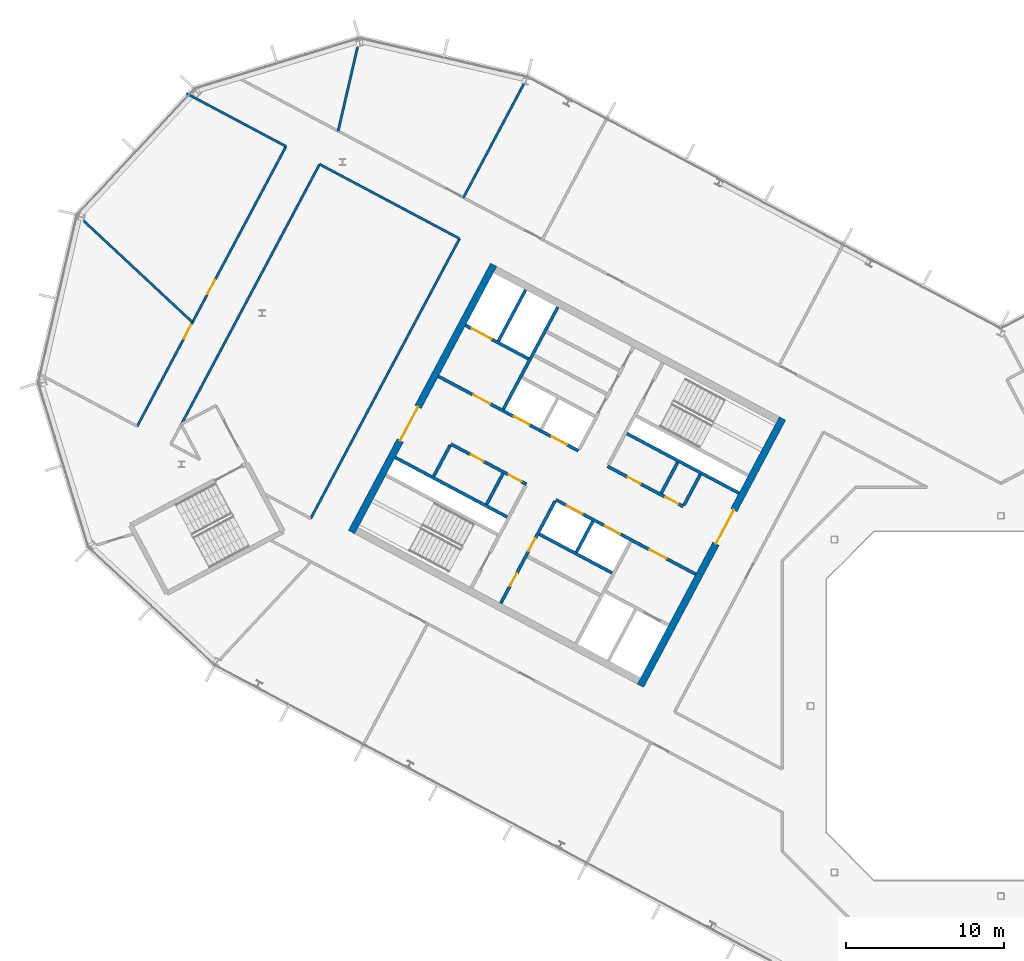
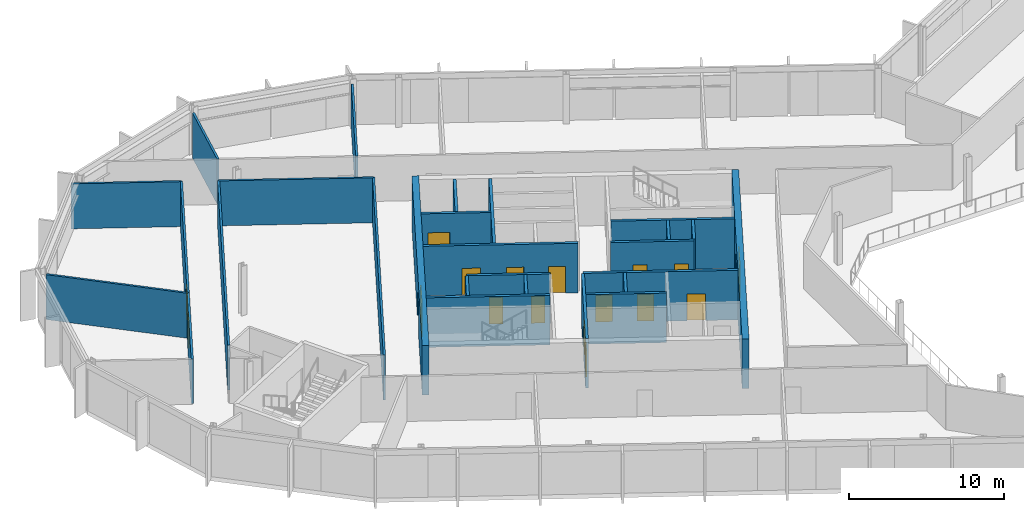
# One storey, part 13 of 25: 26 walls, 17 doors, 17 openings.
"""IFC4 building model written with IfcOpenShell, lengths in metres."""

from ifc_helpers import new_model, si_unit, direction, frame, frame_2d, origin, place, context, subcontext, project, spatial, rectangle, extrude, material, layer, layer_set, type_object, element, fill, save


model = new_model("IFC4")

# Units and contexts
model_context = context("Model", 3, precision=1e-05, world=origin(), true_north=direction((0.0, 1.0)))
body_context = subcontext(model_context, "Body", "Model", "MODEL_VIEW")
ifc_project = project(units=[si_unit("LENGTHUNIT", "METRE"), si_unit("AREAUNIT", "SQUARE_METRE"), si_unit("VOLUMEUNIT", "CUBIC_METRE"), si_unit("PLANEANGLEUNIT", "RADIAN"), si_unit("MASSUNIT", "GRAM", prefix="KILO")], contexts=[model_context])

# Site, building, storey
site_placement = place(None, origin())
site = spatial("IfcSite", under=ifc_project, at=site_placement, CompositionType="ELEMENT")
building_placement = place(site_placement, origin())
building = spatial("IfcBuilding", under=site, at=building_placement, Name="Cormorant Relay Tower", CompositionType="ELEMENT")
storey_placement = place(building_placement, frame((0.0, 0.0, 297.0)))
storey = spatial("IfcBuildingStorey", under=building, at=storey_placement, Name="L67", CompositionType="ELEMENT", Elevation=297.0)

# Walls
ifc_material_1 = material(Name="Concrete 40 MPa", Category="concrete")
ifc_layer_1 = layer(ifc_material_1, 0.199951171875)
ifc_layer_set_1 = layer_set([ifc_layer_1], Name="Core internal wall 200")
wall_type_1 = type_object("IfcWallType", Name="Core internal wall 200", PredefinedType="SOLIDWALL", material=ifc_layer_set_1)
wall_1_placement = place(storey_placement, frame((-20.39013671875, 15.371826171875, 0.0), z_axis=(0.0, 0.0, 1.0), x_axis=(-0.4694473164, -0.882960484464, 0.0)))
element("IfcWall", 1, at=wall_1_placement, inside=storey, type_object=wall_type_1, Name="L67 core A shaft and room wall", PredefinedType="SOLIDWALL", context=body_context, shape_type="SweptSolid", body=[
    extrude(rectangle(XDim=2.199951171875, YDim=0.199951171875, at=frame_2d((1.10009765625, 0.0))), origin(), (0.0, 0.0, 1.0), 3.89990234375),
])
wall_2_placement = place(storey_placement, frame((-25.744140625, 11.64990234375, 0.0), z_axis=(0.0, 0.0, 1.0), x_axis=(-0.469487830541, -0.882938942948, 0.0)))
element("IfcWall", 2, at=wall_2_placement, inside=storey, type_object=wall_type_1, Name="L67 core A shaft and room wall", PredefinedType="SOLIDWALL", context=body_context, shape_type="SweptSolid", body=[
    extrude(rectangle(XDim=2.2001953125, YDim=0.199951171875, at=frame_2d((1.10009765625, 0.0))), origin(), (0.0, 0.0, 1.0), 3.89990234375),
])
wall_3_placement = place(storey_placement, frame((-31.41259765625, 14.663818359375, 0.0), z_axis=(0.0, 0.0, 1.0), x_axis=(-0.469533832133, -0.882914480843, 0.0)))
element("IfcWall", 3, at=wall_3_placement, inside=storey, type_object=wall_type_1, Name="L67 core A shaft and room wall", PredefinedType="SOLIDWALL", context=body_context, shape_type="SweptSolid", body=[
    extrude(rectangle(XDim=2.199951171875, YDim=0.199951171875, at=frame_2d((1.10009765625, 0.0))), origin(), (0.0, 0.0, 1.0), 3.89990234375),
])
ifc_material_2 = material(Name="Concrete 50 MPa", Category="concrete")
ifc_layer_2 = layer(ifc_material_2, 0.199951171875)
ifc_layer_set_2 = layer_set([ifc_layer_2], Name="Core shaft wall 200")
wall_type_2 = type_object("IfcWallType", Name="Core shaft wall 200", PredefinedType="SHEAR", material=ifc_layer_set_2)
wall_4_placement = place(storey_placement, frame((-18.959716796875, 14.611328125, 0.0), z_axis=(0.0, 0.0, 1.0), x_axis=(-0.4694473164, -0.882960484464, 0.0)))
element("IfcWall", 4, at=wall_4_placement, inside=storey, type_object=wall_type_2, Name="L67 core A shaft wall", PredefinedType="SHEAR", context=body_context, shape_type="SweptSolid", body=[
    extrude(rectangle(XDim=2.199951171875, YDim=0.199951171875, at=frame_2d((1.10009765625, 0.0))), origin(), (0.0, 0.0, 1.0), 3.89990234375),
])

# Wall, openings, doors
wall_5_placement = place(storey_placement, frame((-28.128173828125, 12.91748046875, 0.0), z_axis=(0.0, 0.0, 1.0), x_axis=(-0.469454336211, -0.882956752176, 0.0)))
wall_5 = element("IfcWall", 5, at=wall_5_placement, inside=storey, type_object=wall_type_2, Name="L67 core A shaft wall", PredefinedType="SHEAR", context=body_context, shape_type="SweptSolid", body=[
    extrude(rectangle(XDim=7.300048828125, YDim=0.199951171875, at=frame_2d((3.64990234375, 0.0))), origin(), (0.0, 0.0, 1.0), 3.89990234375),
])
opening_1_placement = place(wall_5_placement, frame((2.64990234375, 0.0, 0.0)))
opening_1 = element("IfcOpeningElement", 6, at=opening_1_placement, cuts=wall_5, Name="Opening CDD-268", PredefinedType="OPENING", context=body_context, shape_type="SweptSolid", body=[
    extrude(rectangle(XDim=0.89990234375, YDim=2.10009765625, at=frame_2d((0.449951171875, 1.050048828125))), frame((0.0, 0.10986328125, 0.0), z_axis=(0.0, -1.0, 0.0), x_axis=(1.0, 0.0, 0.0)), (0.0, 0.0, 1.0), 0.219970703125),
])
opening_2_placement = place(wall_5_placement, frame((5.14990234375, 0.0, 0.0)))
opening_2 = element("IfcOpeningElement", 7, at=opening_2_placement, cuts=wall_5, Name="Opening CDD-339", PredefinedType="OPENING", context=body_context, shape_type="SweptSolid", body=[
    extrude(rectangle(XDim=0.89990234375, YDim=2.10009765625, at=frame_2d((0.449951171875, 1.050048828125))), frame((0.0, 0.10986328125, 0.0), z_axis=(0.0, -1.0, 0.0), x_axis=(1.0, 0.0, 0.0)), (0.0, 0.0, 1.0), 0.219970703125),
])
ifc_material_3 = material(Name="Steel fire door", Category="steel")
door_type_1 = type_object("IfcDoorType", Name="Core room door 900x2100", OperationType="SINGLE_SWING_LEFT", PredefinedType="DOOR", material=ifc_material_3)
door_1_placement = place(opening_1_placement, origin())
door_1 = element("IfcDoor", 8, at=door_1_placement, inside=storey, type_object=door_type_1, Name="Core room door 900x2100", OperationType="SINGLE_SWING_LEFT", OverallHeight=2.10009765625, OverallWidth=0.89990234375, PredefinedType="DOOR", context=body_context, shape_type="SweptSolid", body=[
    extrude(rectangle(XDim=0.89990234375, YDim=2.10009765625, at=frame_2d((0.449951171875, 1.050048828125))), frame((0.0, 0.02490234375, 0.0), z_axis=(0.0, -1.0, 0.0), x_axis=(1.0, 0.0, 0.0)), (0.0, 0.0, 1.0), 0.050048828125),
])
fill(opening_1, door_1)
door_2_placement = place(opening_2_placement, origin())
door_2 = element("IfcDoor", 9, at=door_2_placement, inside=storey, type_object=door_type_1, Name="Core room door 900x2100", OperationType="SINGLE_SWING_LEFT", OverallHeight=2.10009765625, OverallWidth=0.89990234375, PredefinedType="DOOR", context=body_context, shape_type="SweptSolid", body=[
    extrude(rectangle(XDim=0.89990234375, YDim=2.10009765625, at=frame_2d((0.449951171875, 1.050048828125))), frame((0.0, 0.02490234375, 0.0), z_axis=(0.0, -1.0, 0.0), x_axis=(1.0, 0.0, 0.0)), (0.0, 0.0, 1.0), 0.050048828125),
])
fill(opening_2, door_2)

# Walls
wall_6_placement = place(storey_placement, frame((-27.955322265625, 25.170654296875, 0.0), z_axis=(0.0, 0.0, 1.0), x_axis=(-0.469480409012, -0.88294288918, 0.0)))
element("IfcWall", 10, at=wall_6_placement, inside=storey, type_object=wall_type_2, Name="L67 core A shaft wall", PredefinedType="SHEAR", context=body_context, shape_type="SweptSolid", body=[
    extrude(rectangle(XDim=7.300048828125, YDim=0.199951171875, at=frame_2d((3.64990234375, 0.0))), origin(), (0.0, 0.0, 1.0), 3.89990234375),
])
wall_7_placement = place(storey_placement, frame((-34.750244140625, 16.4384765625, 0.0), z_axis=(0.0, 0.0, 1.0), x_axis=(-0.469401318492, -0.882984938828, 0.0)))
element("IfcWall", 11, at=wall_7_placement, inside=storey, type_object=wall_type_2, Name="L67 core A shaft wall", PredefinedType="SHEAR", context=body_context, shape_type="SweptSolid", body=[
    extrude(rectangle(XDim=2.199951171875, YDim=0.199951171875, at=frame_2d((1.10009765625, 0.0))), origin(), (0.0, 0.0, 1.0), 3.89990234375),
])
wall_8_placement = place(storey_placement, frame((-29.986083984375, 26.250244140625, 0.0), z_axis=(0.0, 0.0, 1.0), x_axis=(-0.469494272526, -0.882935517501, 0.0)))
element("IfcWall", 12, at=wall_8_placement, inside=storey, type_object=wall_type_2, Name="L67 core A shaft wall", PredefinedType="SHEAR", context=body_context, shape_type="SweptSolid", body=[
    extrude(rectangle(XDim=3.64990234375, YDim=0.199951171875, at=frame_2d((1.824951171875, 0.0))), origin(), (0.0, 0.0, 1.0), 3.89990234375),
])

# Wall, opening, door
wall_9_placement = place(storey_placement, frame((-29.80419921875, 21.906494140625, 0.0), z_axis=(0.0, 0.0, 1.0), x_axis=(-0.882960433586, 0.469447412093, 0.0)))
wall_9 = element("IfcWall", 13, at=wall_9_placement, inside=storey, type_object=wall_type_2, Name="L67 core A shaft wall", PredefinedType="SHEAR", context=body_context, shape_type="SweptSolid", body=[
    extrude(rectangle(XDim=4.5, YDim=0.199951171875, at=frame_2d((2.25, 0.0))), origin(), (0.0, 0.0, 1.0), 3.89990234375),
])
opening_3_placement = place(wall_9_placement, frame((2.64990234375, 0.0, 0.0)))
opening_3 = element("IfcOpeningElement", 14, at=opening_3_placement, cuts=wall_9, Name="Opening LD3-015", PredefinedType="OPENING", context=body_context, shape_type="SweptSolid", body=[
    extrude(rectangle(XDim=1.39990234375, YDim=2.39990234375, at=frame_2d((0.699951171875, 1.199951171875))), frame((0.0, 0.10986328125, 0.0), z_axis=(0.0, -1.0, 0.0), x_axis=(1.0, 0.0, 0.0)), (0.0, 0.0, 1.0), 0.219970703125),
])
ifc_material_4 = material(Name="Stainless steel 316", Category="steel")
door_type_2 = type_object("IfcDoorType", Name="Lift landing door 1400x2400", OperationType="DOUBLE_DOOR_SLIDING", PredefinedType="DOOR", material=ifc_material_4)
door_3_placement = place(opening_3_placement, origin())
door_3 = element("IfcDoor", 15, at=door_3_placement, inside=storey, type_object=door_type_2, Name="SV1 landing door", OperationType="DOUBLE_DOOR_SLIDING", OverallHeight=2.39990234375, OverallWidth=1.39990234375, PredefinedType="DOOR", context=body_context, shape_type="SweptSolid", body=[
    extrude(rectangle(XDim=1.39990234375, YDim=2.39990234375, at=frame_2d((0.699951171875, 1.199951171875))), frame((0.0, 0.02490234375, 0.0), z_axis=(0.0, -1.0, 0.0), x_axis=(1.0, 0.0, 0.0)), (0.0, 0.0, 1.0), 0.050048828125),
])
fill(opening_3, door_3)

# Wall
wall_10_placement = place(storey_placement, frame((-16.52880859375, 13.43212890625, 0.0), z_axis=(0.0, 0.0, 1.0), x_axis=(-0.88295287151, 0.469461634952, 0.0)))
element("IfcWall", 16, at=wall_10_placement, inside=storey, type_object=wall_type_2, Name="L67 core A shaft wall", PredefinedType="SHEAR", context=body_context, shape_type="SweptSolid", body=[
    extrude(rectangle(XDim=7.999755859375, YDim=0.199951171875, at=frame_2d((4.0, 0.0))), origin(), (0.0, 0.0, 1.0), 3.89990234375),
])

# Wall, openings, doors
wall_11_placement = place(storey_placement, frame((-20.03955078125, 12.58056640625, 0.0), z_axis=(0.0, 0.0, 1.0), x_axis=(-0.882942972946, 0.469480251476, 0.0)))
wall_11 = element("IfcWall", 17, at=wall_11_placement, inside=storey, type_object=wall_type_2, Name="L67 core A shaft wall", PredefinedType="SHEAR", context=body_context, shape_type="SweptSolid", body=[
    extrude(rectangle(XDim=5.39990234375, YDim=0.199951171875, at=frame_2d((2.699951171875, 0.0))), origin(), (0.0, 0.0, 1.0), 3.89990234375),
])
opening_4_placement = place(wall_11_placement, frame((0.360107421875, 0.0, 0.0)))
opening_4 = element("IfcOpeningElement", 18, at=opening_4_placement, cuts=wall_11, Name="Opening CDD-337", PredefinedType="OPENING", context=body_context, shape_type="SweptSolid", body=[
    extrude(rectangle(XDim=0.89990234375, YDim=2.10009765625, at=frame_2d((0.449951171875, 1.050048828125))), frame((0.0, 0.10986328125, 0.0), z_axis=(0.0, -1.0, 0.0), x_axis=(1.0, 0.0, 0.0)), (0.0, 0.0, 1.0), 0.219970703125),
])
opening_5_placement = place(wall_11_placement, frame((3.06005859375, 0.0, 0.0)))
opening_5 = element("IfcOpeningElement", 19, at=opening_5_placement, cuts=wall_11, Name="Opening CDD-338", PredefinedType="OPENING", context=body_context, shape_type="SweptSolid", body=[
    extrude(rectangle(XDim=0.89990234375, YDim=2.10009765625, at=frame_2d((0.449951171875, 1.050048828125))), frame((0.0, 0.10986328125, 0.0), z_axis=(0.0, -1.0, 0.0), x_axis=(1.0, 0.0, 0.0)), (0.0, 0.0, 1.0), 0.219970703125),
])
door_4_placement = place(opening_4_placement, frame((0.89990234375, 0.0, 0.0), z_axis=(0.0, 0.0, 1.0), x_axis=(-1.0, 0.0, 0.0)))
door_4 = element("IfcDoor", 20, at=door_4_placement, inside=storey, type_object=door_type_1, Name="Core room door 900x2100", OperationType="SINGLE_SWING_RIGHT", OverallHeight=2.10009765625, OverallWidth=0.89990234375, PredefinedType="DOOR", context=body_context, shape_type="SweptSolid", body=[
    extrude(rectangle(XDim=0.89990234375, YDim=2.10009765625, at=frame_2d((0.449951171875, 1.050048828125))), frame((0.0, 0.02490234375, 0.0), z_axis=(0.0, -1.0, 0.0), x_axis=(1.0, 0.0, 0.0)), (0.0, 0.0, 1.0), 0.050048828125),
])
fill(opening_4, door_4)
door_5_placement = place(opening_5_placement, frame((0.89990234375, 0.0, 0.0), z_axis=(0.0, 0.0, 1.0), x_axis=(-1.0, 0.0, 0.0)))
door_5 = element("IfcDoor", 21, at=door_5_placement, inside=storey, type_object=door_type_1, Name="Core room door 900x2100", OperationType="SINGLE_SWING_RIGHT", OverallHeight=2.10009765625, OverallWidth=0.89990234375, PredefinedType="DOOR", context=body_context, shape_type="SweptSolid", body=[
    extrude(rectangle(XDim=0.89990234375, YDim=2.10009765625, at=frame_2d((0.449951171875, 1.050048828125))), frame((0.0, 0.02490234375, 0.0), z_axis=(0.0, -1.0, 0.0), x_axis=(1.0, 0.0, 0.0)), (0.0, 0.0, 1.0), 0.050048828125),
])
fill(opening_5, door_5)

wall_12_placement = place(storey_placement, frame((-26.66162109375, 16.1015625, 0.0), z_axis=(0.0, 0.0, 1.0), x_axis=(-0.882940221191, 0.469485426614, 0.0)))
wall_12 = element("IfcWall", 22, at=wall_12_placement, inside=storey, type_object=wall_type_2, Name="L67 core A shaft wall", PredefinedType="SHEAR", context=body_context, shape_type="SweptSolid", body=[
    extrude(rectangle(XDim=10.0, YDim=0.199951171875, at=frame_2d((5.0, 0.0))), origin(), (0.0, 0.0, 1.0), 3.89990234375),
])
opening_6_placement = place(wall_12_placement, frame((6.300048828125, 0.0, 0.0)))
opening_6 = element("IfcOpeningElement", 23, at=opening_6_placement, cuts=wall_12, Name="Opening CDC-039", PredefinedType="OPENING", context=body_context, shape_type="SweptSolid", body=[
    extrude(rectangle(XDim=1.199951171875, YDim=2.10009765625, at=frame_2d((0.60009765625, 1.050048828125))), frame((0.0, 0.10986328125, 0.0), z_axis=(0.0, -1.0, 0.0), x_axis=(1.0, 0.0, 0.0)), (0.0, 0.0, 1.0), 0.219970703125),
])
opening_7_placement = place(wall_12_placement, frame((0.800048828125, 0.0, 0.0)))
opening_7 = element("IfcOpeningElement", 24, at=opening_7_placement, cuts=wall_12, Name="Opening LD1-067", PredefinedType="OPENING", context=body_context, shape_type="SweptSolid", body=[
    extrude(rectangle(XDim=1.10009765625, YDim=2.10009765625, at=frame_2d((0.550048828125, 1.050048828125))), frame((0.0, 0.10986328125, 0.0), z_axis=(0.0, -1.0, 0.0), x_axis=(1.0, 0.0, 0.0)), (0.0, 0.0, 1.0), 0.219970703125),
])
opening_8_placement = place(wall_12_placement, frame((3.5, 0.0, 0.0)))
opening_8 = element("IfcOpeningElement", 25, at=opening_8_placement, cuts=wall_12, Name="Opening LD1-068", PredefinedType="OPENING", context=body_context, shape_type="SweptSolid", body=[
    extrude(rectangle(XDim=1.10009765625, YDim=2.10009765625, at=frame_2d((0.550048828125, 1.050048828125))), frame((0.0, 0.10986328125, 0.0), z_axis=(0.0, -1.0, 0.0), x_axis=(1.0, 0.0, 0.0)), (0.0, 0.0, 1.0), 0.219970703125),
])
ifc_material_5 = material(Name="Steel fire door", Category="steel")
door_type_3 = type_object("IfcDoorType", Name="Core lobby door 1200x2100", OperationType="SINGLE_SWING_LEFT", PredefinedType="DOOR", material=ifc_material_5)
door_6_placement = place(opening_6_placement, frame((1.199951171875, 0.0, 0.0), z_axis=(0.0, 0.0, 1.0), x_axis=(-1.0, 0.0, 0.0)))
door_6 = element("IfcDoor", 26, at=door_6_placement, inside=storey, type_object=door_type_3, Name="Core lobby door 1200x2100", OperationType="SINGLE_SWING_RIGHT", OverallHeight=2.10009765625, OverallWidth=1.199951171875, PredefinedType="DOOR", context=body_context, shape_type="SweptSolid", body=[
    extrude(rectangle(XDim=1.199951171875, YDim=2.10009765625, at=frame_2d((0.60009765625, 1.050048828125))), frame((0.0, 0.02490234375, 0.0), z_axis=(0.0, -1.0, 0.0), x_axis=(1.0, 0.0, 0.0)), (0.0, 0.0, 1.0), 0.050048828125),
])
fill(opening_6, door_6)
ifc_material_6 = material(Name="Stainless steel 316", Category="steel")
door_type_4 = type_object("IfcDoorType", Name="Lift landing door 1100x2100", OperationType="DOUBLE_DOOR_SLIDING", PredefinedType="DOOR", material=ifc_material_6)
door_7_placement = place(opening_7_placement, origin())
door_7 = element("IfcDoor", 27, at=door_7_placement, inside=storey, type_object=door_type_4, Name="HR3 landing door", OperationType="DOUBLE_DOOR_SLIDING", OverallHeight=2.10009765625, OverallWidth=1.10009765625, PredefinedType="DOOR", context=body_context, shape_type="SweptSolid", body=[
    extrude(rectangle(XDim=1.10009765625, YDim=2.10009765625, at=frame_2d((0.550048828125, 1.050048828125))), frame((0.0, 0.02490234375, 0.0), z_axis=(0.0, -1.0, 0.0), x_axis=(1.0, 0.0, 0.0)), (0.0, 0.0, 1.0), 0.050048828125),
])
fill(opening_7, door_7)
door_8_placement = place(opening_8_placement, origin())
door_8 = element("IfcDoor", 28, at=door_8_placement, inside=storey, type_object=door_type_4, Name="HR4 landing door", OperationType="DOUBLE_DOOR_SLIDING", OverallHeight=2.10009765625, OverallWidth=1.10009765625, PredefinedType="DOOR", context=body_context, shape_type="SweptSolid", body=[
    extrude(rectangle(XDim=1.10009765625, YDim=2.10009765625, at=frame_2d((0.550048828125, 1.050048828125))), frame((0.0, 0.02490234375, 0.0), z_axis=(0.0, -1.0, 0.0), x_axis=(1.0, 0.0, 0.0)), (0.0, 0.0, 1.0), 0.050048828125),
])
fill(opening_8, door_8)

wall_13_placement = place(storey_placement, frame((-19.251708984375, 8.31103515625, 0.0), z_axis=(0.0, 0.0, 1.0), x_axis=(-0.882955722218, 0.469456273365, 0.0)))
wall_13 = element("IfcWall", 29, at=wall_13_placement, inside=storey, type_object=wall_type_2, Name="L67 core A shaft wall", PredefinedType="SHEAR", context=body_context, shape_type="SweptSolid", body=[
    extrude(rectangle(XDim=10.0, YDim=0.199951171875, at=frame_2d((5.0, 0.0))), origin(), (0.0, 0.0, 1.0), 3.89990234375),
])
opening_9_placement = place(wall_13_placement, frame((2.10009765625, 0.0, 0.0)))
opening_9 = element("IfcOpeningElement", 30, at=opening_9_placement, cuts=wall_13, Name="Opening CDC-033", PredefinedType="OPENING", context=body_context, shape_type="SweptSolid", body=[
    extrude(rectangle(XDim=1.199951171875, YDim=2.10009765625, at=frame_2d((0.60009765625, 1.050048828125))), frame((0.0, 0.10986328125, 0.0), z_axis=(0.0, -1.0, 0.0), x_axis=(1.0, 0.0, 0.0)), (0.0, 0.0, 1.0), 0.219970703125),
])
opening_10_placement = place(wall_13_placement, frame((5.39990234375, 0.0, 0.0)))
opening_10 = element("IfcOpeningElement", 31, at=opening_10_placement, cuts=wall_13, Name="Opening LD1-065", PredefinedType="OPENING", context=body_context, shape_type="SweptSolid", body=[
    extrude(rectangle(XDim=1.10009765625, YDim=2.10009765625, at=frame_2d((0.550048828125, 1.050048828125))), frame((0.0, 0.10986328125, 0.0), z_axis=(0.0, -1.0, 0.0), x_axis=(1.0, 0.0, 0.0)), (0.0, 0.0, 1.0), 0.219970703125),
])
opening_11_placement = place(wall_13_placement, frame((8.10009765625, 0.0, 0.0)))
opening_11 = element("IfcOpeningElement", 32, at=opening_11_placement, cuts=wall_13, Name="Opening LD1-066", PredefinedType="OPENING", context=body_context, shape_type="SweptSolid", body=[
    extrude(rectangle(XDim=1.10009765625, YDim=2.10009765625, at=frame_2d((0.550048828125, 1.050048828125))), frame((0.0, 0.10986328125, 0.0), z_axis=(0.0, -1.0, 0.0), x_axis=(1.0, 0.0, 0.0)), (0.0, 0.0, 1.0), 0.219970703125),
])
door_9_placement = place(opening_9_placement, origin())
door_9 = element("IfcDoor", 33, at=door_9_placement, inside=storey, type_object=door_type_3, Name="Core lobby door 1200x2100", OperationType="SINGLE_SWING_RIGHT", OverallHeight=2.10009765625, OverallWidth=1.199951171875, PredefinedType="DOOR", context=body_context, shape_type="SweptSolid", body=[
    extrude(rectangle(XDim=1.199951171875, YDim=2.10009765625, at=frame_2d((0.60009765625, 1.050048828125))), frame((0.0, 0.02490234375, 0.0), z_axis=(0.0, -1.0, 0.0), x_axis=(1.0, 0.0, 0.0)), (0.0, 0.0, 1.0), 0.050048828125),
])
fill(opening_9, door_9)
door_10_placement = place(opening_10_placement, origin())
door_10 = element("IfcDoor", 34, at=door_10_placement, inside=storey, type_object=door_type_4, Name="HR1 landing door", OperationType="DOUBLE_DOOR_SLIDING", OverallHeight=2.10009765625, OverallWidth=1.10009765625, PredefinedType="DOOR", context=body_context, shape_type="SweptSolid", body=[
    extrude(rectangle(XDim=1.10009765625, YDim=2.10009765625, at=frame_2d((0.550048828125, 1.050048828125))), frame((0.0, 0.02490234375, 0.0), z_axis=(0.0, -1.0, 0.0), x_axis=(1.0, 0.0, 0.0)), (0.0, 0.0, 1.0), 0.050048828125),
])
fill(opening_10, door_10)
door_11_placement = place(opening_11_placement, origin())
door_11 = element("IfcDoor", 35, at=door_11_placement, inside=storey, type_object=door_type_4, Name="HR2 landing door", OperationType="DOUBLE_DOOR_SLIDING", OverallHeight=2.10009765625, OverallWidth=1.10009765625, PredefinedType="DOOR", context=body_context, shape_type="SweptSolid", body=[
    extrude(rectangle(XDim=1.10009765625, YDim=2.10009765625, at=frame_2d((0.550048828125, 1.050048828125))), frame((0.0, 0.02490234375, 0.0), z_axis=(0.0, -1.0, 0.0), x_axis=(1.0, 0.0, 0.0)), (0.0, 0.0, 1.0), 0.050048828125),
])
fill(opening_11, door_11)

wall_14_placement = place(storey_placement, frame((-29.935302734375, 13.991455078125, 0.0), z_axis=(0.0, 0.0, 1.0), x_axis=(-0.882952937579, 0.469461510692, 0.0)))
wall_14 = element("IfcWall", 36, at=wall_14_placement, inside=storey, type_object=wall_type_2, Name="L67 core A shaft wall", PredefinedType="SHEAR", context=body_context, shape_type="SweptSolid", body=[
    extrude(rectangle(XDim=5.400146484375, YDim=0.199951171875, at=frame_2d((2.7001953125, 0.0))), origin(), (0.0, 0.0, 1.0), 3.89990234375),
])
opening_12_placement = place(wall_14_placement, frame((0.360107421875, 0.0, 0.0)))
opening_12 = element("IfcOpeningElement", 37, at=opening_12_placement, cuts=wall_14, Name="Opening CDD-320", PredefinedType="OPENING", context=body_context, shape_type="SweptSolid", body=[
    extrude(rectangle(XDim=0.89990234375, YDim=2.10009765625, at=frame_2d((0.449951171875, 1.050048828125))), frame((0.0, 0.10986328125, 0.0), z_axis=(0.0, -1.0, 0.0), x_axis=(1.0, 0.0, 0.0)), (0.0, 0.0, 1.0), 0.219970703125),
])
opening_13_placement = place(wall_14_placement, frame((3.06005859375, 0.0, 0.0)))
opening_13 = element("IfcOpeningElement", 38, at=opening_13_placement, cuts=wall_14, Name="Opening CDD-321", PredefinedType="OPENING", context=body_context, shape_type="SweptSolid", body=[
    extrude(rectangle(XDim=0.89990234375, YDim=2.10009765625, at=frame_2d((0.449951171875, 1.050048828125))), frame((0.0, 0.10986328125, 0.0), z_axis=(0.0, -1.0, 0.0), x_axis=(1.0, 0.0, 0.0)), (0.0, 0.0, 1.0), 0.219970703125),
])
door_12_placement = place(opening_12_placement, origin())
door_12 = element("IfcDoor", 39, at=door_12_placement, inside=storey, type_object=door_type_1, Name="Core room door 900x2100", OperationType="SINGLE_SWING_LEFT", OverallHeight=2.10009765625, OverallWidth=0.89990234375, PredefinedType="DOOR", context=body_context, shape_type="SweptSolid", body=[
    extrude(rectangle(XDim=0.89990234375, YDim=2.10009765625, at=frame_2d((0.449951171875, 1.050048828125))), frame((0.0, 0.02490234375, 0.0), z_axis=(0.0, -1.0, 0.0), x_axis=(1.0, 0.0, 0.0)), (0.0, 0.0, 1.0), 0.050048828125),
])
fill(opening_12, door_12)
door_13_placement = place(opening_13_placement, origin())
door_13 = element("IfcDoor", 40, at=door_13_placement, inside=storey, type_object=door_type_1, Name="Core room door 900x2100", OperationType="SINGLE_SWING_LEFT", OverallHeight=2.10009765625, OverallWidth=0.89990234375, PredefinedType="DOOR", context=body_context, shape_type="SweptSolid", body=[
    extrude(rectangle(XDim=0.89990234375, YDim=2.10009765625, at=frame_2d((0.449951171875, 1.050048828125))), frame((0.0, 0.02490234375, 0.0), z_axis=(0.0, -1.0, 0.0), x_axis=(1.0, 0.0, 0.0)), (0.0, 0.0, 1.0), 0.050048828125),
])
fill(opening_13, door_13)

# Walls
wall_15_placement = place(storey_placement, frame((-24.5283203125, 8.3984375, 0.0), z_axis=(0.0, 0.0, 1.0), x_axis=(-0.882953967957, 0.469459572775, 0.0)))
element("IfcWall", 41, at=wall_15_placement, inside=storey, type_object=wall_type_2, Name="L67 core A shaft wall", PredefinedType="SHEAR", context=body_context, shape_type="SweptSolid", body=[
    extrude(rectangle(XDim=5.199951171875, YDim=0.199951171875, at=frame_2d((2.60009765625, 0.0))), origin(), (0.0, 0.0, 1.0), 3.89990234375),
])
wall_16_placement = place(storey_placement, frame((-31.150390625, 11.91943359375, 0.0), z_axis=(0.0, 0.0, 1.0), x_axis=(-0.882940221191, 0.469485426614, 0.0)))
element("IfcWall", 42, at=wall_16_placement, inside=storey, type_object=wall_type_2, Name="L67 core A shaft wall", PredefinedType="SHEAR", context=body_context, shape_type="SweptSolid", body=[
    extrude(rectangle(XDim=8.0, YDim=0.199951171875, at=frame_2d((4.0, 0.0))), origin(), (0.0, 0.0, 1.0), 3.89990234375),
])

# Wall, opening, door
ifc_material_7 = material(Name="Concrete 50 MPa", Category="concrete")
ifc_layer_3 = layer(ifc_material_7, 0.449951171875)
ifc_layer_set_3 = layer_set([ifc_layer_3], Name="Core wall 450")
wall_type_3 = type_object("IfcWallType", Name="Core wall 450", PredefinedType="SHEAR", material=ifc_layer_set_3)
wall_17_placement = place(storey_placement, frame((-13.771484375, 18.138427734375, 0.0), z_axis=(0.0, 0.0, 1.0), x_axis=(-0.469467968382, -0.882949504028, 0.0)))
wall_17 = element("IfcWall", 43, at=wall_17_placement, inside=storey, type_object=wall_type_3, Name="L67 core A wall", PredefinedType="SHEAR", context=body_context, shape_type="SweptSolid", body=[
    extrude(rectangle(XDim=19.099853515625, YDim=0.449951171875, at=frame_2d((9.5498046875, 0.0))), origin(), (0.0, 0.0, 1.0), 3.89990234375),
])
opening_14_placement = place(wall_17_placement, frame((6.550048828125, 0.0, 0.0)))
opening_14 = element("IfcOpeningElement", 44, at=opening_14_placement, cuts=wall_17, Name="Opening CDA-050", PredefinedType="OPENING", context=body_context, shape_type="SweptSolid", body=[
    extrude(rectangle(XDim=2.39990234375, YDim=2.39990234375, at=frame_2d((1.199951171875, 1.199951171875))), frame((0.0, 0.23486328125, 0.0), z_axis=(0.0, -1.0, 0.0), x_axis=(1.0, 0.0, 0.0)), (0.0, 0.0, 1.0), 0.469970703125),
])
ifc_material_8 = material(Name="Steel fire door", Category="steel")
door_type_5 = type_object("IfcDoorType", Name="Core lobby door 2400x2400", OperationType="DOUBLE_DOOR_SINGLE_SWING", PredefinedType="DOOR", material=ifc_material_8)
door_14_placement = place(opening_14_placement, origin())
door_14 = element("IfcDoor", 45, at=door_14_placement, inside=storey, type_object=door_type_5, Name="Core lobby door 2400x2400", OperationType="DOUBLE_DOOR_SINGLE_SWING", OverallHeight=2.39990234375, OverallWidth=2.39990234375, PredefinedType="DOOR", context=body_context, shape_type="SweptSolid", body=[
    extrude(rectangle(XDim=2.39990234375, YDim=2.39990234375, at=frame_2d((1.199951171875, 1.199951171875))), frame((0.0, 0.02490234375, 0.0), z_axis=(0.0, -1.0, 0.0), x_axis=(1.0, 0.0, 0.0)), (0.0, 0.0, 1.0), 0.050048828125),
])
fill(opening_14, door_14)

wall_18_placement = place(storey_placement, frame((-32.00439453125, 27.8330078125, 0.0), z_axis=(0.0, 0.0, 1.0), x_axis=(-0.469467968382, -0.882949504028, 0.0)))
wall_18 = element("IfcWall", 46, at=wall_18_placement, inside=storey, type_object=wall_type_3, Name="L67 core A wall", PredefinedType="SHEAR", context=body_context, shape_type="SweptSolid", body=[
    extrude(rectangle(XDim=19.099853515625, YDim=0.449951171875, at=frame_2d((9.5498046875, 0.0))), origin(), (0.0, 0.0, 1.0), 3.89990234375),
])
opening_15_placement = place(wall_18_placement, frame((10.14990234375, 0.0, 0.0)))
opening_15 = element("IfcOpeningElement", 47, at=opening_15_placement, cuts=wall_18, Name="Opening CDA-056", PredefinedType="OPENING", context=body_context, shape_type="SweptSolid", body=[
    extrude(rectangle(XDim=2.39990234375, YDim=2.39990234375, at=frame_2d((1.199951171875, 1.199951171875))), frame((0.0, 0.23486328125, 0.0), z_axis=(0.0, -1.0, 0.0), x_axis=(1.0, 0.0, 0.0)), (0.0, 0.0, 1.0), 0.469970703125),
])
door_15_placement = place(opening_15_placement, frame((2.39990234375, 0.0, 0.0), z_axis=(0.0, 0.0, 1.0), x_axis=(-1.0, 0.0, 0.0)))
door_15 = element("IfcDoor", 48, at=door_15_placement, inside=storey, type_object=door_type_5, Name="Core lobby door 2400x2400", OperationType="DOUBLE_DOOR_SINGLE_SWING", OverallHeight=2.39990234375, OverallWidth=2.39990234375, PredefinedType="DOOR", context=body_context, shape_type="SweptSolid", body=[
    extrude(rectangle(XDim=2.39990234375, YDim=2.39990234375, at=frame_2d((1.199951171875, 1.199951171875))), frame((0.0, 0.02490234375, 0.0), z_axis=(0.0, -1.0, 0.0), x_axis=(1.0, 0.0, 0.0)), (0.0, 0.0, 1.0), 0.050048828125),
])
fill(opening_15, door_15)

# Wall, openings, doors
ifc_material_9 = material(Name="Gypsum board fire partition")
ifc_layer_4 = layer(ifc_material_9, 0.14990234375)
ifc_layer_set_4 = layer_set([ifc_layer_4], Name="Corridor partition 150 EI 60")
wall_type_4 = type_object("IfcWallType", Name="Corridor partition 150 EI 60", PredefinedType="PARTITIONING", material=ifc_layer_set_4)
wall_19_placement = place(storey_placement, frame((-54.492919921875, 17.64892578125, 0.0), z_axis=(0.0, 0.0, 1.0), x_axis=(0.469446756585, 0.882960782103, 0.0)))
wall_19 = element("IfcWall", 49, at=wall_19_placement, inside=storey, type_object=wall_type_4, Name="wall/L67/part/001", PredefinedType="PARTITIONING", context=body_context, shape_type="SweptSolid", body=[
    extrude(rectangle(XDim=20.0, YDim=0.14990234375, at=frame_2d((10.0, 0.0))), origin(), (0.0, 0.0, 1.0), 3.5400390625),
])
opening_16_placement = place(wall_19_placement, frame((9.449951171875, 0.0, 0.0)))
opening_16 = element("IfcOpeningElement", 50, at=opening_16_placement, cuts=wall_19, Name="Opening DS-232", PredefinedType="OPENING", context=body_context, shape_type="SweptSolid", body=[
    extrude(rectangle(XDim=1.0, YDim=2.10009765625, at=frame_2d((0.5, 1.050048828125))), frame((0.0, 0.0849609375, 0.0), z_axis=(0.0, -1.0, 0.0), x_axis=(1.0, 0.0, 0.0)), (0.0, 0.0, 1.0), 0.169921875),
])
opening_17_placement = place(wall_19_placement, frame((6.25, 0.0, 0.0)))
opening_17 = element("IfcOpeningElement", 51, at=opening_17_placement, cuts=wall_19, Name="Opening DS-233", PredefinedType="OPENING", context=body_context, shape_type="SweptSolid", body=[
    extrude(rectangle(XDim=1.0, YDim=2.10009765625, at=frame_2d((0.5, 1.050048828125))), frame((0.0, 0.0849609375, 0.0), z_axis=(0.0, -1.0, 0.0), x_axis=(1.0, 0.0, 0.0)), (0.0, 0.0, 1.0), 0.169921875),
])
ifc_material_10 = material(Name="Timber door leaf", Category="wood")
door_type_6 = type_object("IfcDoorType", Name="Suite door 1000x2100", OperationType="SINGLE_SWING_LEFT", PredefinedType="DOOR", material=ifc_material_10)
door_16_placement = place(opening_16_placement, frame((1.0, 0.0, 0.0), z_axis=(0.0, 0.0, 1.0), x_axis=(-1.0, 0.0, 0.0)))
door_16 = element("IfcDoor", 52, at=door_16_placement, inside=storey, type_object=door_type_6, Name="door/L67/001", OperationType="SINGLE_SWING_LEFT", OverallHeight=2.10009765625, OverallWidth=1.0, PredefinedType="DOOR", context=body_context, shape_type="SweptSolid", body=[
    extrude(rectangle(XDim=1.0, YDim=2.10009765625, at=frame_2d((0.5, 1.050048828125))), frame((0.0, 0.02490234375, 0.0), z_axis=(0.0, -1.0, 0.0), x_axis=(1.0, 0.0, 0.0)), (0.0, 0.0, 1.0), 0.050048828125),
])
fill(opening_16, door_16)
door_17_placement = place(opening_17_placement, frame((1.0, 0.0, 0.0), z_axis=(0.0, 0.0, 1.0), x_axis=(-1.0, 0.0, 0.0)))
door_17 = element("IfcDoor", 53, at=door_17_placement, inside=storey, type_object=door_type_6, Name="door/L67/002", OperationType="SINGLE_SWING_LEFT", OverallHeight=2.10009765625, OverallWidth=1.0, PredefinedType="DOOR", context=body_context, shape_type="SweptSolid", body=[
    extrude(rectangle(XDim=1.0, YDim=2.10009765625, at=frame_2d((0.5, 1.050048828125))), frame((0.0, 0.02490234375, 0.0), z_axis=(0.0, -1.0, 0.0), x_axis=(1.0, 0.0, 0.0)), (0.0, 0.0, 1.0), 0.050048828125),
])
fill(opening_17, door_17)

# Walls
wall_20_placement = place(storey_placement, frame((-45.10400390625, 35.30810546875, 0.0), z_axis=(0.0, 0.0, 1.0), x_axis=(-0.883009246848, 0.469355590125, 0.0)))
element("IfcWall", 54, at=wall_20_placement, inside=storey, type_object=wall_type_4, Name="wall/L67/part/002", PredefinedType="PARTITIONING", context=body_context, shape_type="SweptSolid", body=[
    extrude(rectangle(XDim=7.126708984375, YDim=0.14990234375, at=frame_2d((3.5634765625, 0.0))), origin(), (0.0, 0.0, 1.0), 3.5400390625),
])
wall_21_placement = place(storey_placement, frame((-51.695068359375, 17.798095703125, 0.0), z_axis=(0.0, 0.0, 1.0), x_axis=(0.469483567396, 0.88294120979, 0.0)))
element("IfcWall", 55, at=wall_21_placement, inside=storey, type_object=wall_type_4, Name="wall/L67/part/012", PredefinedType="PARTITIONING", context=body_context, shape_type="SweptSolid", body=[
    extrude(rectangle(XDim=18.554931640625, YDim=0.14990234375, at=frame_2d((9.27734375, 0.0))), origin(), (0.0, 0.0, 1.0), 3.5400390625),
])
wall_22_placement = place(storey_placement, frame((-42.98388671875, 34.180908203125, 0.0), z_axis=(0.0, 0.0, 1.0), x_axis=(0.882929457898, -0.469505668097, 0.0)))
element("IfcWall", 56, at=wall_22_placement, inside=storey, type_object=wall_type_4, Name="wall/L67/part/013", PredefinedType="PARTITIONING", context=body_context, shape_type="SweptSolid", body=[
    extrude(rectangle(XDim=9.99951171875, YDim=0.14990234375, at=frame_2d((4.999755859375, 0.0))), origin(), (0.0, 0.0, 1.0), 3.5400390625),
])
wall_23_placement = place(storey_placement, frame((-34.155029296875, 29.486083984375, 0.0), z_axis=(0.0, 0.0, 1.0), x_axis=(-0.469446756585, -0.882960782103, 0.0)))
element("IfcWall", 57, at=wall_23_placement, inside=storey, type_object=wall_type_4, Name="wall/L67/part/014", PredefinedType="PARTITIONING", context=body_context, shape_type="SweptSolid", body=[
    extrude(rectangle(XDim=20.0, YDim=0.14990234375, at=frame_2d((10.0, 0.0))), origin(), (0.0, 0.0, 1.0), 3.5400390625),
])
ifc_material_11 = material(Name="Gypsum board partition")
ifc_layer_5 = layer(ifc_material_11, 0.14990234375)
ifc_layer_set_5 = layer_set([ifc_layer_5], Name="Tenant partition 150")
wall_type_5 = type_object("IfcWallType", Name="Tenant partition 150", PredefinedType="PARTITIONING", material=ifc_layer_set_5)
wall_24_placement = place(storey_placement, frame((-57.8720703125, 30.60791015625, 0.0), z_axis=(0.0, 0.0, 1.0), x_axis=(0.731446083693, -0.681899278963, 0.0)))
element("IfcWall", 58, at=wall_24_placement, inside=storey, type_object=wall_type_5, Name="wall/L67/part/003", PredefinedType="PARTITIONING", context=body_context, shape_type="SweptSolid", body=[
    extrude(rectangle(XDim=9.38671875, YDim=0.14990234375, at=frame_2d((4.693359375, 0.0))), origin(), (0.0, 0.0, 1.0), 3.5400390625),
])
wall_25_placement = place(storey_placement, frame((-30.097900390625, 39.2470703125, 0.0), z_axis=(0.0, 0.0, 1.0), x_axis=(-0.469424042577, -0.882972858162, 0.0)))
element("IfcWall", 59, at=wall_25_placement, inside=storey, type_object=wall_type_5, Name="wall/L67/part/017", PredefinedType="PARTITIONING", context=body_context, shape_type="SweptSolid", body=[
    extrude(rectangle(XDim=8.122802734375, YDim=0.14990234375, at=frame_2d((4.0615234375, 0.0))), origin(), (0.0, 0.0, 1.0), 3.5400390625),
])
wall_26_placement = place(storey_placement, frame((-41.81298828125, 36.27587890625, 0.0), z_axis=(0.0, 0.0, 1.0), x_axis=(0.224866064011, 0.974389682445, 0.0)))
element("IfcWall", 60, at=wall_26_placement, inside=storey, type_object=wall_type_5, Name="wall/L67/part/018", PredefinedType="PARTITIONING", context=body_context, shape_type="SweptSolid", body=[
    extrude(rectangle(XDim=5.438232421875, YDim=0.14990234375, at=frame_2d((2.71923828125, 0.0))), origin(), (0.0, 0.0, 1.0), 3.5400390625),
])

save(model, "model.ifc")
